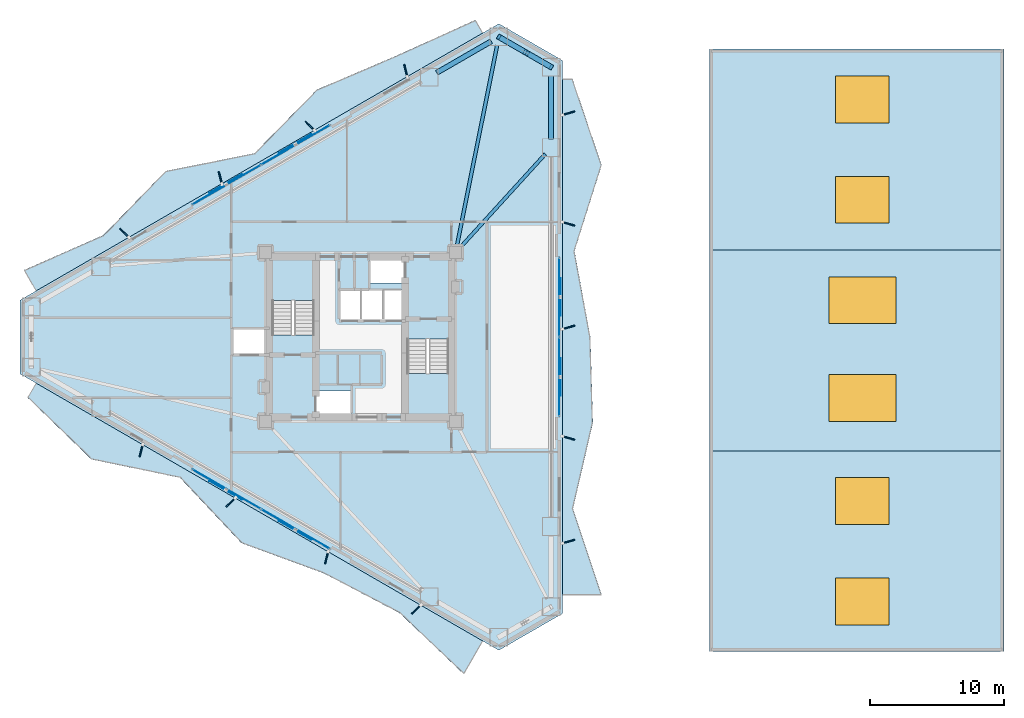
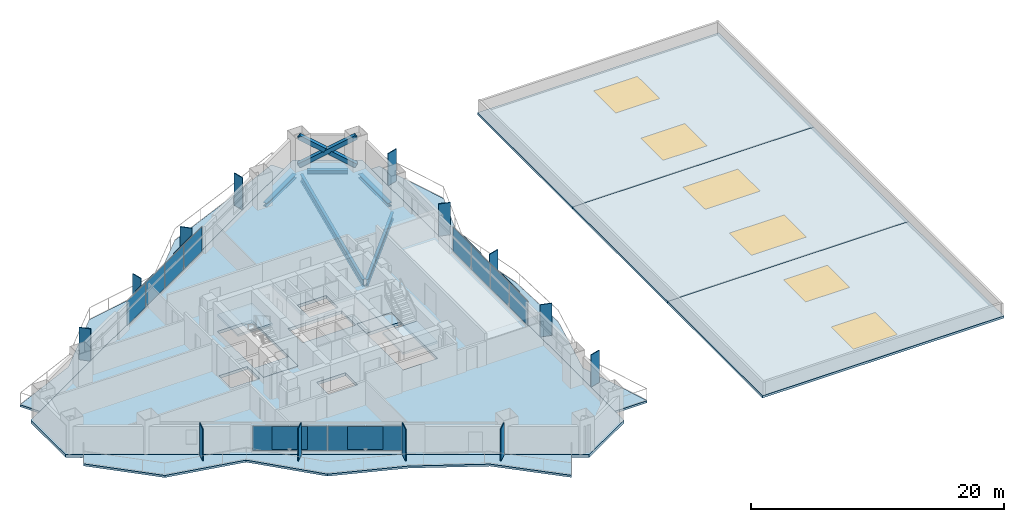
# One storey, part 10 of 16: 31 plates, 11 slabs, 6 windows, 5 beams, 3 members, 6 openings, 5 elements without a shape of their own.
"""IFC4 building model written with IfcOpenShell, lengths in metres."""

from ifc_helpers import new_model, si_unit, direction, frame, origin, origin_2d, place, context, subcontext, project, spatial, polyline, rectangle, hollow_rectangle, i_section, outline, extrude, material, layer, layer_set, material_profile, profile_set, type_object, element, fill, aggregate, save


model = new_model("IFC4")

# Units and contexts
model_context = context("Model", 3, precision=1e-05, world=origin(), true_north=direction((0.0, 1.0)))
body_context = subcontext(model_context, "Body", "Model", "MODEL_VIEW")
ifc_project = project(units=[si_unit("LENGTHUNIT", "METRE"), si_unit("AREAUNIT", "SQUARE_METRE"), si_unit("VOLUMEUNIT", "CUBIC_METRE"), si_unit("PLANEANGLEUNIT", "RADIAN"), si_unit("MASSUNIT", "GRAM", prefix="KILO")], contexts=[model_context])

# Site, building, storey
site_placement = place(None, origin())
site = spatial("IfcSite", under=ifc_project, at=site_placement, CompositionType="ELEMENT")
building_placement = place(site_placement, origin())
building = spatial("IfcBuilding", under=site, at=building_placement, Name="Mersakhor Tower and Convention Hall", CompositionType="ELEMENT")
storey_placement = place(building_placement, frame((0.0, 0.0, 19.199951171875)))
storey = spatial("IfcBuildingStorey", under=building, at=storey_placement, Name="L04", CompositionType="ELEMENT", Elevation=19.199951171875)

# Beams
ifc_material_1 = material(Name="Steel S355", Category="steel")
ifc_material_profile_1 = material_profile(ifc_material_1, i_section(OverallWidth=0.25439453125, OverallDepth=0.6875, WebThickness=0.01318359375, FlangeThickness=0.02099609375, at=origin_2d()), Name="UB 686x254x152")
ifc_profile_set_1 = profile_set([ifc_material_profile_1], Name="Steel S355")
beam_type_1 = type_object("IfcBeamType", Name="BM-PR-686", PredefinedType="BEAM", material=ifc_profile_set_1)
beam_1_placement = place(storey_placement, frame((36.1845703125, 33.4716796875, -0.62353515625), z_axis=(0.196849718138, 0.980433673672, 0.0), x_axis=(-0.980433673672, 0.196849718138, 0.0)))
element("IfcBeam", 1, at=beam_1_placement, inside=storey, type_object=beam_type_1, Name="L04 Primary Floor Girder FG-2", PredefinedType="BEAM", context=body_context, shape_type="SweptSolid", body=[
    extrude(i_section(OverallWidth=0.25439453125, OverallDepth=0.6875, WebThickness=0.01318359375, FlangeThickness=0.02099609375, at=origin_2d()), origin(), (0.0, 0.0, 1.0), 15.359130859375),
])
beam_2_placement = place(storey_placement, frame((36.389404296875, 33.367919921875, -0.62353515625), z_axis=(0.67316322447, 0.739493930483, 0.0), x_axis=(-0.739493930483, 0.67316322447, 0.0)))
element("IfcBeam", 2, at=beam_2_placement, inside=storey, type_object=beam_type_1, Name="L04 Primary Floor Girder FG-3", PredefinedType="BEAM", context=body_context, shape_type="SweptSolid", body=[
    extrude(i_section(OverallWidth=0.25439453125, OverallDepth=0.6875, WebThickness=0.01318359375, FlangeThickness=0.02099609375, at=origin_2d()), origin(), (0.0, 0.0, 1.0), 9.53662109375),
])
ifc_material_2 = material(Name="Steel S355", Category="steel")
ifc_material_profile_2 = material_profile(ifc_material_2, i_section(OverallWidth=0.374755859375, OverallDepth=0.37451171875, WebThickness=0.0166015625, FlangeThickness=0.027099609375, at=origin_2d()), Name="UC 356x368x202")
ifc_profile_set_2 = profile_set([ifc_material_profile_2], Name="Steel S355")
beam_type_2 = type_object("IfcBeamType", Name="BM-SPD-UC356", PredefinedType="SPANDREL", material=ifc_profile_set_2)
beam_3_placement = place(storey_placement, frame((34.700439453125, 46.49560546875, -0.46728515625), z_axis=(0.866031574723, 0.499989311469, 0.0), x_axis=(-0.499989311469, 0.866031574723, 0.0)))
element("IfcBeam", 3, at=beam_3_placement, inside=storey, type_object=beam_type_2, Name="L04 Perimeter Spandrel Beam SPB-03", PredefinedType="SPANDREL", context=body_context, shape_type="SweptSolid", body=[
    extrude(i_section(OverallWidth=0.374755859375, OverallDepth=0.37451171875, WebThickness=0.0166015625, FlangeThickness=0.027099609375, at=origin_2d()), origin(), (0.0, 0.0, 1.0), 4.69873046875),
])
beam_4_placement = place(storey_placement, frame((39.904052734375, 48.844970703125, -0.46728515625), z_axis=(0.866038607556, -0.4999771297, 0.0), x_axis=(0.4999771297, 0.866038607556, 0.0)))
element("IfcBeam", 4, at=beam_4_placement, inside=storey, type_object=beam_type_2, Name="L04 Perimeter Spandrel Beam SPB-04", PredefinedType="SPANDREL", context=body_context, shape_type="SweptSolid", body=[
    extrude(i_section(OverallWidth=0.374755859375, OverallDepth=0.37451171875, WebThickness=0.0166015625, FlangeThickness=0.027099609375, at=origin_2d()), origin(), (0.0, 0.0, 1.0), 3.208740234375),
])
beam_5_placement = place(storey_placement, frame((43.25, 46.25830078125, -0.46728515625), z_axis=(0.0, -1.0, 0.0), x_axis=(1.0, 0.0, 0.0)))
element("IfcBeam", 5, at=beam_5_placement, inside=storey, type_object=beam_type_2, Name="L04 Perimeter Spandrel Beam SPB-05", PredefinedType="SPANDREL", context=body_context, shape_type="SweptSolid", body=[
    extrude(i_section(OverallWidth=0.374755859375, OverallDepth=0.37451171875, WebThickness=0.0166015625, FlangeThickness=0.027099609375, at=origin_2d()), origin(), (0.0, 0.0, 1.0), 4.69873046875),
])

# Members
ifc_material_3 = material(Name="Steel S460", Category="steel")
ifc_material_profile_3 = material_profile(ifc_material_3, hollow_rectangle(XDim=0.39990234375, YDim=0.39990234375, WallThickness=0.02490234375, at=origin_2d()), Name="SHS 400x400x25")
ifc_profile_set_3 = profile_set([ifc_material_profile_3], Name="Steel S460")
member_type = type_object("IfcMemberType", Name="MB-BRC-SHS400", PredefinedType="BRACE", material=ifc_profile_set_3)
member_1_placement = place(storey_placement, frame((39.3369140625, 49.172607421875, 0.150146484375), z_axis=(0.740507772322, -0.427542982597, 0.518512523632), x_axis=(0.500009315796, 0.86602002524, 0.0)))
element("IfcMember", 6, at=member_1_placement, inside=storey, type_object=member_type, Name="L04 Chamfer Braced Frame Diagonal CB-1A", PredefinedType="BRACE", context=body_context, shape_type="SweptSolid", body=[
    extrude(hollow_rectangle(XDim=0.39990234375, YDim=0.39990234375, WallThickness=0.02490234375, at=origin_2d()), origin(), (0.0, 0.0, 1.0), 5.284423828125),
])
member_2_placement = place(storey_placement, frame((43.25, 46.913330078125, 0.150146484375), z_axis=(-0.740544200614, 0.427541122117, 0.51846202931), x_axis=(-0.499989236795, -0.866031617834, 0.0)))
element("IfcMember", 7, at=member_2_placement, inside=storey, type_object=member_type, Name="L04 Chamfer Braced Frame Diagonal CB-1B Lower Half", PredefinedType="BRACE", context=body_context, shape_type="SweptSolid", body=[
    extrude(hollow_rectangle(XDim=0.39990234375, YDim=0.39990234375, WallThickness=0.02490234375, at=origin_2d()), origin(), (0.0, 0.0, 1.0), 2.40869140625),
])
member_3_placement = place(storey_placement, frame((41.12060546875, 48.142578125, 1.64111328125), z_axis=(-0.740473193976, 0.427601478974, 0.51851366827), x_axis=(-0.500078132948, -0.865980289006, 0.0)))
element("IfcMember", 8, at=member_3_placement, inside=storey, type_object=member_type, Name="L04 Chamfer Braced Frame Diagonal CB-1B Upper Half", PredefinedType="BRACE", context=body_context, shape_type="SweptSolid", body=[
    extrude(hollow_rectangle(XDim=0.39990234375, YDim=0.39990234375, WallThickness=0.02490234375, at=origin_2d()), origin(), (0.0, 0.0, 1.0), 2.408935546875),
])

# Curtain wall, plates
ifc_material_4 = material(Name="Dark solar low-E aluminium curtain wall", Category="aluminium")
ifc_layer_1 = layer(ifc_material_4, 0.18994140625)
ifc_layer_set_1 = layer_set([ifc_layer_1], Name="Dark solar low-E aluminium curtain wall")
curtain_wall_type = type_object("IfcCurtainWallType", Name="CW-SYS-04", PredefinedType="USERDEFINED", material=ifc_layer_set_1)
curtain_wall_1_placement = place(storey_placement, origin())
curtain_wall_1 = element("IfcCurtainWall", 9, at=curtain_wall_1_placement, inside=storey, type_object=curtain_wall_type, Name="L04 Dark-Glass Curtain Wall F1-B2", ObjectType="CURTAIN WALL", PredefinedType="USERDEFINED")
ifc_material_5 = material(Name="Dark solar double glazing", Category="glass")
ifc_layer_2 = layer(ifc_material_5, 0.031982421875)
ifc_layer_set_2 = layer_set([ifc_layer_2], Name="Dark solar double glazing")
plate_type_1 = type_object("IfcPlateType", Name="CWP-GLZ-32", PredefinedType="CURTAIN_PANEL", material=ifc_layer_set_2)
plate_1_placement = place(storey_placement, frame((17.703857421875, 37.37548828125, 0.259765625), z_axis=(0.0, 0.0, 1.0), x_axis=(0.866023412558, 0.50000344889, 0.0)))
plate_1 = element("IfcPlate", 10, at=plate_1_placement, type_object=plate_type_1, Name="CW-04 panel 1.1", PredefinedType="CURTAIN_PANEL", context=body_context, shape_type="SweptSolid", body=[
    extrude(rectangle(XDim=2.873291015625, YDim=0.031982421875, at=origin_2d()), origin(), (0.0, 0.0, 1.0), 2.340087890625),
])
plate_2_placement = place(storey_placement, frame((20.27880859375, 38.862060546875, 0.259765625), z_axis=(0.0, 0.0, 1.0), x_axis=(0.866023412558, 0.50000344889, 0.0)))
plate_2 = element("IfcPlate", 11, at=plate_2_placement, type_object=plate_type_1, Name="CW-04 panel 2.1", PredefinedType="CURTAIN_PANEL", context=body_context, shape_type="SweptSolid", body=[
    extrude(rectangle(XDim=2.913330078125, YDim=0.031982421875, at=origin_2d()), origin(), (0.0, 0.0, 1.0), 2.340087890625),
])
plate_3_placement = place(storey_placement, frame((22.87109375, 40.35888671875, 0.259765625), z_axis=(0.0, 0.0, 1.0), x_axis=(0.866023412558, 0.50000344889, 0.0)))
plate_3 = element("IfcPlate", 12, at=plate_3_placement, type_object=plate_type_1, Name="CW-04 panel 3.1", PredefinedType="CURTAIN_PANEL", context=body_context, shape_type="SweptSolid", body=[
    extrude(rectangle(XDim=2.913330078125, YDim=0.031982421875, at=origin_2d()), origin(), (0.0, 0.0, 1.0), 2.340087890625),
])
plate_4_placement = place(storey_placement, frame((25.446044921875, 41.845458984375, 0.259765625), z_axis=(0.0, 0.0, 1.0), x_axis=(0.866023412558, 0.50000344889, 0.0)))
plate_4 = element("IfcPlate", 13, at=plate_4_placement, type_object=plate_type_1, Name="CW-04 panel 4.1", PredefinedType="CURTAIN_PANEL", context=body_context, shape_type="SweptSolid", body=[
    extrude(rectangle(XDim=2.873291015625, YDim=0.031982421875, at=origin_2d()), origin(), (0.0, 0.0, 1.0), 2.340087890625),
])
aggregate(curtain_wall_1, [plate_1, plate_2, plate_3, plate_4])

curtain_wall_2_placement = place(storey_placement, origin())
curtain_wall_2 = element("IfcCurtainWall", 14, at=curtain_wall_2_placement, inside=storey, type_object=curtain_wall_type, Name="L04 Dark-Glass Curtain Wall F2-B2", ObjectType="CURTAIN WALL", PredefinedType="USERDEFINED")
plate_5_placement = place(storey_placement, frame((43.85009765625, 31.219970703125, 0.259765625), z_axis=(0.0, 0.0, 1.0), x_axis=(0.0, -1.0, 0.0)))
plate_5 = element("IfcPlate", 15, at=plate_5_placement, type_object=plate_type_1, Name="CW-04 panel 1.1", PredefinedType="CURTAIN_PANEL", context=body_context, shape_type="SweptSolid", body=[
    extrude(rectangle(XDim=2.873291015625, YDim=0.031982421875, at=origin_2d()), origin(), (0.0, 0.0, 1.0), 2.340087890625),
])
plate_6_placement = place(storey_placement, frame((43.85009765625, 28.24658203125, 0.259765625), z_axis=(0.0, 0.0, 1.0), x_axis=(0.0, -1.0, 0.0)))
plate_6 = element("IfcPlate", 16, at=plate_6_placement, type_object=plate_type_1, Name="CW-04 panel 2.1", PredefinedType="CURTAIN_PANEL", context=body_context, shape_type="SweptSolid", body=[
    extrude(rectangle(XDim=2.913330078125, YDim=0.031982421875, at=origin_2d()), origin(), (0.0, 0.0, 1.0), 2.340087890625),
])
plate_7_placement = place(storey_placement, frame((43.85009765625, 25.25341796875, 0.259765625), z_axis=(0.0, 0.0, 1.0), x_axis=(0.0, -1.0, 0.0)))
plate_7 = element("IfcPlate", 17, at=plate_7_placement, type_object=plate_type_1, Name="CW-04 panel 3.1", PredefinedType="CURTAIN_PANEL", context=body_context, shape_type="SweptSolid", body=[
    extrude(rectangle(XDim=2.913330078125, YDim=0.031982421875, at=origin_2d()), origin(), (0.0, 0.0, 1.0), 2.340087890625),
])
plate_8_placement = place(storey_placement, frame((43.85009765625, 22.280029296875, 0.259765625), z_axis=(0.0, 0.0, 1.0), x_axis=(0.0, -1.0, 0.0)))
plate_8 = element("IfcPlate", 18, at=plate_8_placement, type_object=plate_type_1, Name="CW-04 panel 4.1", PredefinedType="CURTAIN_PANEL", context=body_context, shape_type="SweptSolid", body=[
    extrude(rectangle(XDim=2.873291015625, YDim=0.031982421875, at=origin_2d()), origin(), (0.0, 0.0, 1.0), 2.340087890625),
])
aggregate(curtain_wall_2, [plate_5, plate_6, plate_7, plate_8])

curtain_wall_3_placement = place(storey_placement, origin())
curtain_wall_3 = element("IfcCurtainWall", 19, at=curtain_wall_3_placement, inside=storey, type_object=curtain_wall_type, Name="L04 Dark-Glass Curtain Wall F3-B2", ObjectType="CURTAIN WALL", PredefinedType="USERDEFINED")
plate_9_placement = place(storey_placement, frame((25.446044921875, 11.654541015625, 0.259765625), z_axis=(0.0, 0.0, 1.0), x_axis=(-0.866023412558, 0.50000344889, 0.0)))
plate_9 = element("IfcPlate", 20, at=plate_9_placement, type_object=plate_type_1, Name="CW-04 panel 1.1", PredefinedType="CURTAIN_PANEL", context=body_context, shape_type="SweptSolid", body=[
    extrude(rectangle(XDim=2.873291015625, YDim=0.031982421875, at=origin_2d()), origin(), (0.0, 0.0, 1.0), 2.340087890625),
])
plate_10_placement = place(storey_placement, frame((22.87109375, 13.14111328125, 0.259765625), z_axis=(0.0, 0.0, 1.0), x_axis=(-0.866023412558, 0.50000344889, 0.0)))
plate_10 = element("IfcPlate", 21, at=plate_10_placement, type_object=plate_type_1, Name="CW-04 panel 2.1", PredefinedType="CURTAIN_PANEL", context=body_context, shape_type="SweptSolid", body=[
    extrude(rectangle(XDim=2.913330078125, YDim=0.031982421875, at=origin_2d()), origin(), (0.0, 0.0, 1.0), 2.340087890625),
])
plate_11_placement = place(storey_placement, frame((20.27880859375, 14.637939453125, 0.259765625), z_axis=(0.0, 0.0, 1.0), x_axis=(-0.866023412558, 0.50000344889, 0.0)))
plate_11 = element("IfcPlate", 22, at=plate_11_placement, type_object=plate_type_1, Name="CW-04 panel 3.1", PredefinedType="CURTAIN_PANEL", context=body_context, shape_type="SweptSolid", body=[
    extrude(rectangle(XDim=2.913330078125, YDim=0.031982421875, at=origin_2d()), origin(), (0.0, 0.0, 1.0), 2.340087890625),
])
plate_12_placement = place(storey_placement, frame((17.703857421875, 16.12451171875, 0.259765625), z_axis=(0.0, 0.0, 1.0), x_axis=(-0.866023412558, 0.50000344889, 0.0)))
plate_12 = element("IfcPlate", 23, at=plate_12_placement, type_object=plate_type_1, Name="CW-04 panel 4.1", PredefinedType="CURTAIN_PANEL", context=body_context, shape_type="SweptSolid", body=[
    extrude(rectangle(XDim=2.873291015625, YDim=0.031982421875, at=origin_2d()), origin(), (0.0, 0.0, 1.0), 2.340087890625),
])
aggregate(curtain_wall_3, [plate_9, plate_10, plate_11, plate_12])

# Plates
ifc_material_6 = material(Name="Ceramic-clad aluminium Zone 1 cobalt-slate", Category="masonry")
ifc_material_7 = material(Name="Ceramic-clad aluminium Zone 1 cobalt-slate", Category="masonry")
ifc_layer_3 = layer(ifc_material_7, 0.080078125)
ifc_layer_set_3 = layer_set([ifc_layer_3], Name="Ceramic-clad aluminium Zone 1 cobalt-slate")
plate_type_2 = type_object("IfcPlateType", Name="PL-FIN-80", PredefinedType="USERDEFINED", material=ifc_layer_set_3)
for number, where, z_axis, x_axis, name in (
    (24, (11.3720703125, 34.5126953125, 0.0), (0.0, 0.0, 1.0), (-0.719339800339, 0.694658370459, 0.0), "L04 Zone 1 Coloured Brise-Soleil Fin F1-1"),
    (25, (18.527099609375, 38.6435546875, 0.0), (0.0, 0.0, 1.0), (-0.2419218956, 0.970295726276, 0.0), "L04 Zone 1 Coloured Brise-Soleil Fin F1-2"),
    (26, (25.228515625, 42.5126953125, 0.0), (0.0, 0.0, 1.0), (-0.719339800339, 0.694658370459, 0.0), "L04 Zone 1 Coloured Brise-Soleil Fin F1-3"),
    (27, (32.38330078125, 46.6435546875, 0.0), (0.0, 0.0, 1.0), (-0.2419218956, 0.970295726276, 0.0), "L04 Zone 1 Coloured Brise-Soleil Fin F1-4"),
    (28, (44.53662109375, 43.46826171875, 0.0), (0.0, 0.0, 1.0), (0.961261695938, 0.275637355817, 0.0), "L04 Zone 1 Coloured Brise-Soleil Fin F2-1"),
    (29, (44.53662109375, 35.206298828125, 0.0), (0.0, 0.0, 1.0), (0.961261695938, -0.275637355817, 0.0), "L04 Zone 1 Coloured Brise-Soleil Fin F2-2"),
    (30, (44.53662109375, 27.46826171875, 0.0), (0.0, 0.0, 1.0), (0.961261695938, 0.275637355817, 0.0), "L04 Zone 1 Coloured Brise-Soleil Fin F2-3"),
    (31, (44.53662109375, 19.206298828125, 0.0), (0.0, 0.0, 1.0), (0.961261695938, -0.275637355817, 0.0), "L04 Zone 1 Coloured Brise-Soleil Fin F2-4"),
    (32, (44.53662109375, 11.46826171875, 0.0), (0.0, 0.0, 1.0), (0.961261695938, 0.275637355817, 0.0), "L04 Zone 1 Coloured Brise-Soleil Fin F2-5"),
    (33, (33.174072265625, 6.39990234375, 0.0), (0.0, 0.0, 1.0), (-0.719339800339, -0.694658370459, 0.0), "L04 Zone 1 Coloured Brise-Soleil Fin F3-1"),
    (34, (26.472412109375, 10.26904296875, 0.0), (0.0, 0.0, 1.0), (-0.2419218956, -0.970295726276, 0.0), "L04 Zone 1 Coloured Brise-Soleil Fin F3-2"),
    (35, (19.317626953125, 14.39990234375, 0.0), (0.0, 0.0, 1.0), (-0.719339800339, -0.694658370459, 0.0), "L04 Zone 1 Coloured Brise-Soleil Fin F3-3"),
    (36, (12.6162109375, 18.26904296875, 0.0), (0.0, 0.0, 1.0), (-0.2419218956, -0.970295726276, 0.0), "L04 Zone 1 Coloured Brise-Soleil Fin F3-4"),
):
    element("IfcPlate", number, at=place(storey_placement, frame(where, z_axis=z_axis, x_axis=x_axis)), inside=storey, type_object=plate_type_2, material=ifc_material_6, Name=name, ObjectType="FIN", PredefinedType="USERDEFINED", context=body_context, shape_type="SweptSolid", body=[
        extrude(rectangle(XDim=0.949951171875, YDim=0.080078125, at=origin_2d()), origin(), (0.0, 0.0, 1.0), 3.10009765625),
    ])
ifc_material_8 = material(Name="Perforated ceramic cobogo solar screen", Category="aluminium")
ifc_layer_4 = layer(ifc_material_8, 0.048095703125)
ifc_layer_set_4 = layer_set([ifc_layer_4], Name="Perforated ceramic cobogo solar screen")
plate_type_3 = type_object("IfcPlateType", Name="PL-SCR-48", PredefinedType="USERDEFINED", material=ifc_layer_set_4)
for number, where, z_axis, x_axis, name in (
    (37, (18.935791015625, 38.1953125, 0.400146484375), (0.0, 0.0, 1.0), (0.866025403784, 0.5, 0.0), "L04 Perforated Ceramic Solar Screen F1-1"),
    (38, (24.120361328125, 41.1884765625, 0.400146484375), (0.0, 0.0, 1.0), (0.866025403784, 0.5, 0.0), "L04 Perforated Ceramic Solar Screen F1-2"),
    (39, (43.944091796875, 29.743408203125, 0.400146484375), (0.0, 0.0, 1.0), (0.0, -1.0, 0.0), "L04 Perforated Ceramic Solar Screen F2-1"),
    (40, (43.944091796875, 23.756591796875, 0.400146484375), (0.0, 0.0, 1.0), (0.0, -1.0, 0.0), "L04 Perforated Ceramic Solar Screen F2-2"),
    (41, (24.1201171875, 12.311279296875, 0.400146484375), (0.0, 0.0, 1.0), (-0.866025403784, 0.5, 0.0), "L04 Perforated Ceramic Solar Screen F3-1"),
    (42, (18.935791015625, 15.3046875, 0.400146484375), (0.0, 0.0, 1.0), (-0.866025403784, 0.5, 0.0), "L04 Perforated Ceramic Solar Screen F3-2"),
):
    element("IfcPlate", number, at=place(storey_placement, frame(where, z_axis=z_axis, x_axis=x_axis)), inside=storey, type_object=plate_type_3, Name=name, ObjectType="SCREEN", PredefinedType="USERDEFINED", context=body_context, shape_type="SweptSolid", body=[
        extrude(rectangle(XDim=2.800048828125, YDim=0.048095703125, at=origin_2d()), origin(), (0.0, 0.0, 1.0), 2.2099609375),
    ])

# Slabs
ifc_material_9 = material(Name="Concrete C45/55", Category="concrete")
ifc_layer_5 = layer(ifc_material_9, 0.199951171875)
ifc_layer_set_5 = layer_set([ifc_layer_5], Name="Concrete C45/55")
slab_type_1 = type_object("IfcSlabType", Name="SL-BAL-200", PredefinedType="FLOOR", material=ifc_layer_set_5)
slab_1_placement = place(storey_placement, frame((0.0, 0.0, -0.199951171875)))
element("IfcSlab", 43, at=slab_1_placement, inside=storey, type_object=slab_type_1, Name="L04 Sinusoidal Balcony Slab Face 1", PredefinedType="FLOOR", context=body_context, shape_type="SweptSolid", body=[
    extrude(outline(polyline([(4.775390625, 30.199951171875), (38.12451171875, 49.4541015625), (37.55908203125, 50.433349609375), (31.687744140625, 47.766845703125), (25.739013671875, 45.234619140625), (21.074951171875, 40.4765625), (14.431884765625, 39.146728515625), (9.785888671875, 34.35791015625), (3.87548828125, 31.7587890625), (4.775390625, 30.199951171875)])), origin(), (0.0, 0.0, 1.0), 0.199951171875),
])
slab_2_placement = place(storey_placement, frame((0.0, 0.0, -0.199951171875)))
element("IfcSlab", 44, at=slab_2_placement, inside=storey, type_object=slab_type_1, Name="L04 Sinusoidal Balcony Slab Face 2", PredefinedType="FLOOR", context=body_context, shape_type="SweptSolid", body=[
    extrude(outline(polyline([(44.10009765625, 46.00390625), (44.10009765625, 7.49609375), (47.02001953125, 7.49609375), (44.8740234375, 13.9140625), (46.360595703125, 20.33203125), (46.176513671875, 26.75), (44.989501953125, 33.16796875), (47.02001953125, 39.5859375), (44.85205078125, 46.00390625), (44.10009765625, 46.00390625)])), origin(), (0.0, 0.0, 1.0), 0.199951171875),
])
slab_3_placement = place(storey_placement, frame((0.0, 0.0, -0.199951171875)))
element("IfcSlab", 45, at=slab_3_placement, inside=storey, type_object=slab_type_1, Name="L04 Sinusoidal Balcony Slab Face 3", PredefinedType="FLOOR", context=body_context, shape_type="SweptSolid", body=[
    extrude(outline(polyline([(38.12451171875, 4.0458984375), (4.775390625, 23.300048828125), (4.144775390625, 22.20751953125), (8.8994140625, 17.606689453125), (15.516845703125, 16.232421875), (20.109130859375, 11.3505859375), (26.2255859375, 9.1083984375), (31.916259765625, 6.129150390625), (36.700439453125, 1.57958984375), (38.12451171875, 4.0458984375)])), origin(), (0.0, 0.0, 1.0), 0.199951171875),
])
ifc_material_10 = material(Name="Concrete C45/55", Category="concrete")
ifc_layer_6 = layer(ifc_material_10, 0.280029296875)
ifc_layer_set_6 = layer_set([ifc_layer_6], Name="Concrete C45/55")
slab_type_2 = type_object("IfcSlabType", Name="SL-FLR-280", PredefinedType="FLOOR", material=ifc_layer_set_6)
slab_4_placement = place(storey_placement, frame((0.0, 0.0, -0.280029296875)))
element("IfcSlab", 46, at=slab_4_placement, inside=storey, type_object=slab_type_2, Name="L04 ST-1 Structural Stair Floor Landing", PredefinedType="LANDING", context=body_context, shape_type="SweptSolid", body=[
    extrude(outline(polyline([(25.550048828125, 25.39990234375), (25.550048828125, 26.89990234375), (22.39990234375, 26.89990234375), (22.39990234375, 25.39990234375), (25.550048828125, 25.39990234375)])), origin(), (0.0, 0.0, 1.0), 0.280029296875),
])
slab_5_placement = place(storey_placement, frame((0.0, 0.0, -0.280029296875)))
element("IfcSlab", 47, at=slab_5_placement, inside=storey, type_object=slab_type_2, Name="L04 ST-2 Structural Stair Floor Landing", PredefinedType="LANDING", context=body_context, shape_type="SweptSolid", body=[
    extrude(outline(polyline([(32.449951171875, 28.10009765625), (32.449951171875, 26.60009765625), (35.60009765625, 26.60009765625), (35.60009765625, 28.10009765625), (32.449951171875, 28.10009765625)])), origin(), (0.0, 0.0, 1.0), 0.280029296875),
])
slab_6_placement = place(storey_placement, frame((0.0, 0.0, -0.280029296875)))
element("IfcSlab", 48, at=slab_6_placement, inside=storey, type_object=slab_type_2, Name="Tower L04 Structural Floor Slab", PredefinedType="FLOOR", context=body_context, shape_type="SweptSolid", body=[
    extrude(outline(polyline([(3.56298828125, 29.5), (39.3369140625, 50.154052734375), (44.10009765625, 47.404052734375), (44.10009765625, 6.095947265625), (39.3369140625, 3.345947265625), (3.56298828125, 24.0), (3.56298828125, 29.5)]), holes=[polyline([(25.550048828125, 25.39990234375), (25.550048828125, 32.699951171875), (22.39990234375, 32.699951171875), (22.39990234375, 25.39990234375), (25.550048828125, 25.39990234375)]), polyline([(32.449951171875, 28.10009765625), (32.449951171875, 20.800048828125), (35.60009765625, 20.800048828125), (35.60009765625, 28.10009765625), (32.449951171875, 28.10009765625)]), polyline([(25.679931640625, 20.820068359375), (25.679931640625, 22.719970703125), (28.320068359375, 22.719970703125), (28.320068359375, 20.820068359375), (25.679931640625, 20.820068359375)]), polyline([(29.679931640625, 30.780029296875), (29.679931640625, 32.679931640625), (32.320068359375, 32.679931640625), (32.320068359375, 30.780029296875), (29.679931640625, 30.780029296875)]), polyline([(27.429931640625, 28.0), (27.429931640625, 30.25), (32.320068359375, 30.25), (32.320068359375, 28.0), (27.429931640625, 28.0)]), polyline([(19.449951171875, 25.449951171875), (19.449951171875, 27.35009765625), (22.050048828125, 27.35009765625), (22.050048828125, 25.449951171875), (19.449951171875, 25.449951171875)])]), origin(), (0.0, 0.0, 1.0), 0.280029296875),
])

# Stair, slab
ifc_material_11 = material(Name="Concrete C45/55", Category="concrete")
stair_type = type_object("IfcStairType", Name="ST-TWR-20R", PredefinedType="HALF_TURN_STAIR", material=ifc_material_11)
stair_1_placement = place(storey_placement, origin())
stair_1 = element("IfcStair", 49, at=stair_1_placement, inside=storey, type_object=stair_type, Name="L04 Tower Protected Exit Stair ST-1", PredefinedType="HALF_TURN_STAIR")
ifc_material_12 = material(Name="Concrete C45/55", Category="concrete")
ifc_layer_7 = layer(ifc_material_12, 0.199951171875)
ifc_layer_set_7 = layer_set([ifc_layer_7], Name="Concrete C45/55")
slab_type_3 = type_object("IfcSlabType", Name="SL-LAND-200", PredefinedType="LANDING", material=ifc_layer_set_7)
slab_7_placement = place(storey_placement, frame((0.0, 0.0, 1.449951171875)))
slab_7 = element("IfcSlab", 50, at=slab_7_placement, type_object=slab_type_3, Name="ST-1 landing 1", PredefinedType="LANDING", context=body_context, shape_type="SweptSolid", body=[
    extrude(outline(polyline([(25.550048828125, 29.465087890625), (25.550048828125, 32.699951171875), (22.39990234375, 32.699951171875), (22.39990234375, 29.465087890625), (25.550048828125, 29.465087890625)])), origin(), (0.0, 0.0, 1.0), 0.2001953125),
])
aggregate(stair_1, [slab_7])

stair_2_placement = place(storey_placement, origin())
stair_2 = element("IfcStair", 51, at=stair_2_placement, inside=storey, type_object=stair_type, Name="L04 Tower Protected Exit Stair ST-2", PredefinedType="HALF_TURN_STAIR")
slab_8_placement = place(storey_placement, frame((0.0, 0.0, 1.449951171875)))
slab_8 = element("IfcSlab", 52, at=slab_8_placement, type_object=slab_type_3, Name="ST-2 landing 1", PredefinedType="LANDING", context=body_context, shape_type="SweptSolid", body=[
    extrude(outline(polyline([(32.449951171875, 24.034912109375), (32.449951171875, 20.800048828125), (35.60009765625, 20.800048828125), (35.60009765625, 24.034912109375), (32.449951171875, 24.034912109375)])), origin(), (0.0, 0.0, 1.0), 0.2001953125),
])
aggregate(stair_2, [slab_8])

# Slab, openings, windows
ifc_material_13 = material(Name="Concrete C45/55", Category="concrete")
ifc_layer_8 = layer(ifc_material_13, 0.2099609375)
ifc_layer_set_8 = layer_set([ifc_layer_8], Name="Concrete C45/55")
slab_type_4 = type_object("IfcSlabType", Name="SL-ROOF-210", PredefinedType="ROOF", material=ifc_layer_set_8)
slab_9_placement = place(storey_placement, origin())
slab_9 = element("IfcSlab", 53, at=slab_9_placement, inside=storey, type_object=slab_type_4, Name="Convention Hall Main Roof Slab SOUTH", PredefinedType="ROOF", context=body_context, shape_type="SweptSolid", body=[
    extrude(outline(polyline([(55.074951171875, 3.25), (55.074951171875, 18.25), (77.074951171875, 18.25), (77.074951171875, 3.25), (55.074951171875, 3.25)])), origin(), (0.0, 0.0, 1.0), 0.2099609375),
])
opening_1_placement = place(slab_9_placement, frame((66.5, 7.0, 0.0)))
opening_1 = element("IfcOpeningElement", 54, at=opening_1_placement, cuts=slab_9, Name="Opening SK-01", PredefinedType="OPENING", context=body_context, shape_type="SweptSolid", body=[
    extrude(rectangle(XDim=4.0, YDim=3.5, at=origin_2d()), origin(), (0.0, 0.0, 1.0), 0.2099609375),
])
opening_2_placement = place(slab_9_placement, frame((66.5, 14.5, 0.0)))
opening_2 = element("IfcOpeningElement", 55, at=opening_2_placement, cuts=slab_9, Name="Opening SK-01", PredefinedType="OPENING", context=body_context, shape_type="SweptSolid", body=[
    extrude(rectangle(XDim=4.0, YDim=3.5, at=origin_2d()), origin(), (0.0, 0.0, 1.0), 0.2099609375),
])
ifc_material_14 = material(Name="Dark solar low-E glazed aluminium window", Category="aluminium")
window_type_1 = type_object("IfcWindowType", Name="SK-CNV-400x350", PartitioningType="SINGLE_PANEL", PredefinedType="SKYLIGHT", material=ifc_material_14)
window_1_placement = place(opening_1_placement, frame((0.0, 0.0, 0.159912109375)))
window_1 = element("IfcWindow", 56, at=window_1_placement, inside=storey, type_object=window_type_1, Name="Convention Hall Plenary Roof Skylight SK-01", OverallHeight=3.5, OverallWidth=4.0, PartitioningType="SINGLE_PANEL", PredefinedType="SKYLIGHT", context=body_context, shape_type="SweptSolid", body=[
    extrude(rectangle(XDim=4.0, YDim=3.5, at=origin_2d()), origin(), (0.0, 0.0, 1.0), 0.050048828125),
])
fill(opening_1, window_1)
window_2_placement = place(opening_2_placement, frame((0.0, 0.0, 0.159912109375)))
window_2 = element("IfcWindow", 57, at=window_2_placement, inside=storey, type_object=window_type_1, Name="Convention Hall Plenary Roof Skylight SK-02", OverallHeight=3.5, OverallWidth=4.0, PartitioningType="SINGLE_PANEL", PredefinedType="SKYLIGHT", context=body_context, shape_type="SweptSolid", body=[
    extrude(rectangle(XDim=4.0, YDim=3.5, at=origin_2d()), origin(), (0.0, 0.0, 1.0), 0.050048828125),
])
fill(opening_2, window_2)

slab_10_placement = place(storey_placement, origin())
slab_10 = element("IfcSlab", 58, at=slab_10_placement, inside=storey, type_object=slab_type_4, Name="Convention Hall Main Roof Slab MID", PredefinedType="ROOF", context=body_context, shape_type="SweptSolid", body=[
    extrude(outline(polyline([(55.074951171875, 18.25), (55.074951171875, 33.25), (77.074951171875, 33.25), (77.074951171875, 18.25), (55.074951171875, 18.25)])), origin(), (0.0, 0.0, 1.0), 0.2099609375),
])
opening_3_placement = place(slab_10_placement, frame((66.5, 22.199951171875, 0.0)))
opening_3 = element("IfcOpeningElement", 59, at=opening_3_placement, cuts=slab_10, Name="Opening SK-02", PredefinedType="OPENING", context=body_context, shape_type="SweptSolid", body=[
    extrude(rectangle(XDim=5.0, YDim=3.5, at=origin_2d()), origin(), (0.0, 0.0, 1.0), 0.2099609375),
])
opening_4_placement = place(slab_10_placement, frame((66.5, 29.5, 0.0)))
opening_4 = element("IfcOpeningElement", 60, at=opening_4_placement, cuts=slab_10, Name="Opening SK-02", PredefinedType="OPENING", context=body_context, shape_type="SweptSolid", body=[
    extrude(rectangle(XDim=5.0, YDim=3.5, at=origin_2d()), origin(), (0.0, 0.0, 1.0), 0.2099609375),
])
ifc_material_15 = material(Name="Dark solar low-E glazed aluminium window", Category="aluminium")
window_type_2 = type_object("IfcWindowType", Name="SK-CNV-500x350", PartitioningType="SINGLE_PANEL", PredefinedType="SKYLIGHT", material=ifc_material_15)
window_3_placement = place(opening_3_placement, frame((0.0, 0.0, 0.159912109375)))
window_3 = element("IfcWindow", 61, at=window_3_placement, inside=storey, type_object=window_type_2, Name="Convention Hall Plenary Roof Skylight SK-03", OverallHeight=3.5, OverallWidth=5.0, PartitioningType="SINGLE_PANEL", PredefinedType="SKYLIGHT", context=body_context, shape_type="SweptSolid", body=[
    extrude(rectangle(XDim=5.0, YDim=3.5, at=origin_2d()), origin(), (0.0, 0.0, 1.0), 0.050048828125),
])
fill(opening_3, window_3)
window_4_placement = place(opening_4_placement, frame((0.0, 0.0, 0.159912109375)))
window_4 = element("IfcWindow", 62, at=window_4_placement, inside=storey, type_object=window_type_2, Name="Convention Hall Plenary Roof Skylight SK-04", OverallHeight=3.5, OverallWidth=5.0, PartitioningType="SINGLE_PANEL", PredefinedType="SKYLIGHT", context=body_context, shape_type="SweptSolid", body=[
    extrude(rectangle(XDim=5.0, YDim=3.5, at=origin_2d()), origin(), (0.0, 0.0, 1.0), 0.050048828125),
])
fill(opening_4, window_4)

slab_11_placement = place(storey_placement, origin())
slab_11 = element("IfcSlab", 63, at=slab_11_placement, inside=storey, type_object=slab_type_4, Name="Convention Hall Main Roof Slab NORTH", PredefinedType="ROOF", context=body_context, shape_type="SweptSolid", body=[
    extrude(outline(polyline([(55.074951171875, 33.25), (55.074951171875, 48.25), (77.074951171875, 48.25), (77.074951171875, 33.25), (55.074951171875, 33.25)])), origin(), (0.0, 0.0, 1.0), 0.2099609375),
])
opening_5_placement = place(slab_11_placement, frame((66.5, 37.0, 0.0)))
opening_5 = element("IfcOpeningElement", 64, at=opening_5_placement, cuts=slab_11, Name="Opening SK-01", PredefinedType="OPENING", context=body_context, shape_type="SweptSolid", body=[
    extrude(rectangle(XDim=4.0, YDim=3.5, at=origin_2d()), origin(), (0.0, 0.0, 1.0), 0.2099609375),
])
opening_6_placement = place(slab_11_placement, frame((66.5, 44.5, 0.0)))
opening_6 = element("IfcOpeningElement", 65, at=opening_6_placement, cuts=slab_11, Name="Opening SK-01", PredefinedType="OPENING", context=body_context, shape_type="SweptSolid", body=[
    extrude(rectangle(XDim=4.0, YDim=3.5, at=origin_2d()), origin(), (0.0, 0.0, 1.0), 0.2099609375),
])
window_5_placement = place(opening_5_placement, frame((0.0, 0.0, 0.159912109375)))
window_5 = element("IfcWindow", 66, at=window_5_placement, inside=storey, type_object=window_type_1, Name="Convention Hall Plenary Roof Skylight SK-05", OverallHeight=3.5, OverallWidth=4.0, PartitioningType="SINGLE_PANEL", PredefinedType="SKYLIGHT", context=body_context, shape_type="SweptSolid", body=[
    extrude(rectangle(XDim=4.0, YDim=3.5, at=origin_2d()), origin(), (0.0, 0.0, 1.0), 0.050048828125),
])
fill(opening_5, window_5)
window_6_placement = place(opening_6_placement, frame((0.0, 0.0, 0.159912109375)))
window_6 = element("IfcWindow", 67, at=window_6_placement, inside=storey, type_object=window_type_1, Name="Convention Hall Plenary Roof Skylight SK-06", OverallHeight=3.5, OverallWidth=4.0, PartitioningType="SINGLE_PANEL", PredefinedType="SKYLIGHT", context=body_context, shape_type="SweptSolid", body=[
    extrude(rectangle(XDim=4.0, YDim=3.5, at=origin_2d()), origin(), (0.0, 0.0, 1.0), 0.050048828125),
])
fill(opening_6, window_6)

save(model, "model.ifc")
